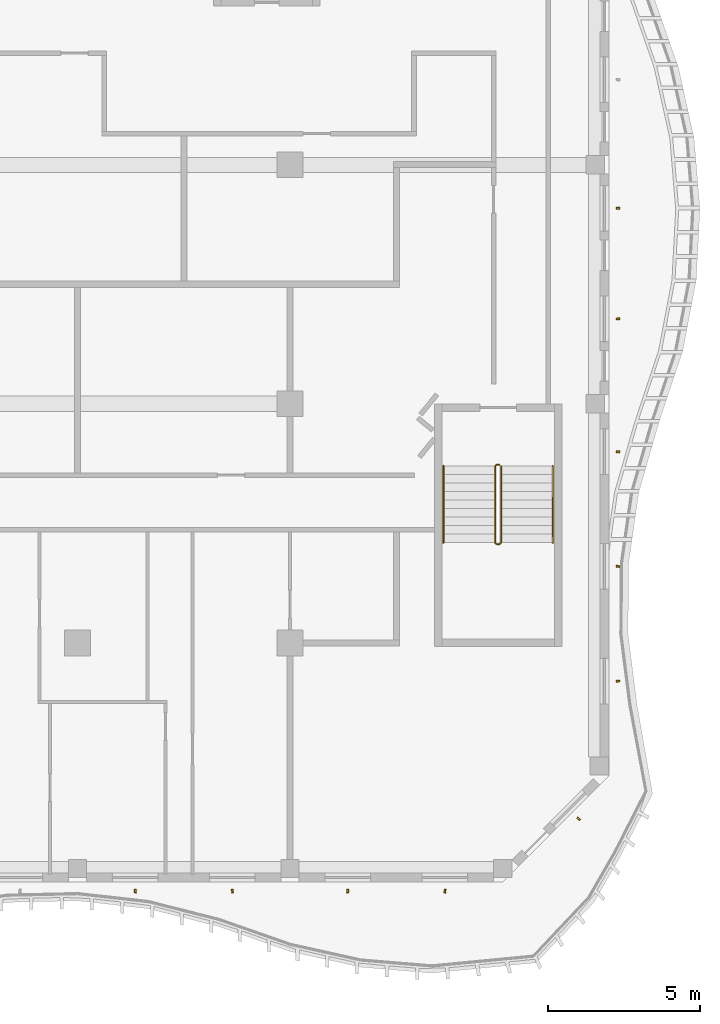
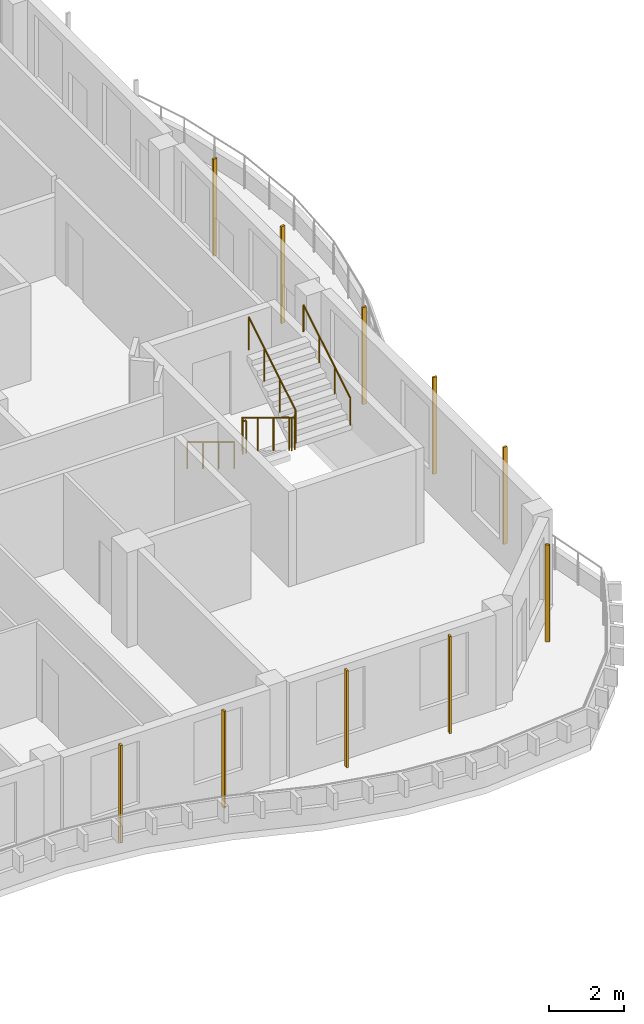
# One storey, part 15 of 18: 10 shading devices, 3 railings.
"""IFC4 building model written with IfcOpenShell, lengths in metres."""

from ifc_helpers import new_model, si_unit, direction, frame, origin, origin_2d, place, context, subcontext, project, spatial, rectangle, circle, extrude, source, transform, mapped, material, material_profile, profile_set, type_object, element, save


model = new_model("IFC4")

# Units and contexts
model_context = context("Model", 3, precision=1e-05, world=origin(), true_north=direction((0.0, 1.0)))
body_context = subcontext(model_context, "Body", "Model", "MODEL_VIEW")
ifc_project = project(units=[si_unit("LENGTHUNIT", "METRE"), si_unit("AREAUNIT", "SQUARE_METRE"), si_unit("VOLUMEUNIT", "CUBIC_METRE"), si_unit("PLANEANGLEUNIT", "RADIAN"), si_unit("MASSUNIT", "GRAM", prefix="KILO")], contexts=[model_context])

# Site, building, storey
site_placement = place(None, origin())
site = spatial("IfcSite", under=ifc_project, at=site_placement, CompositionType="ELEMENT")
building_placement = place(site_placement, origin())
building = spatial("IfcBuilding", under=site, at=building_placement, Name="Kilnfold Tower and Market Hall", CompositionType="ELEMENT")
storey_placement = place(building_placement, frame((0.0, 0.0, 312.0)))
storey = spatial("IfcBuildingStorey", under=building, at=storey_placement, Name="L78", CompositionType="ELEMENT", Elevation=312.0)

# Railings
ifc_material_1 = material(Name="Stainless steel 316", Category="steel")
railing_type_1 = type_object("IfcRailingType", Name="CORE STAIR GUARD 1100", PredefinedType="GUARDRAIL", material=ifc_material_1)
railing_1_placement = place(storey_placement, frame((19.89990234375, -9.75, 0.0)))
element("IfcRailing", 1, at=railing_1_placement, inside=storey, type_object=railing_type_1, Name="L78 ST4 stair guard 1", PredefinedType="GUARDRAIL", context=body_context, shape_type="SweptSolid", body=[
    extrude(circle(Radius=0.02392578125, at=origin_2d()), frame((0.0, 0.0, 1.076171875), z_axis=(-1.0, 0.0, 0.0), x_axis=(0.0, -1.0, 0.0)), (0.0, 0.0, 1.0), 0.099853515625),
    extrude(circle(Radius=0.02392578125, at=origin_2d()), frame((-0.099853515625, 0.0, 1.076171875), z_axis=(-0.271895245746, -0.271895245746, 0.923117517265), x_axis=(0.707106781187, -0.707106781187, 0.0)), (0.0, 0.0, 1.0), 0.18408203125),
    extrude(circle(Radius=0.02392578125, at=origin_2d()), frame((-0.14990234375, -0.050048828125, 1.24609375), z_axis=(0.0, -0.85478489116, 0.518982456201), x_axis=(1.0, 0.0, 0.0)), (0.0, 0.0, 1.0), 2.9482421875),
    extrude(circle(Radius=0.02392578125, at=origin_2d()), frame((-0.14990234375, -2.570068359375, 2.77587890625), z_axis=(0.707106781187, -0.707106781187, 0.0), x_axis=(0.707106781187, 0.707106781187, 0.0)), (0.0, 0.0, 1.0), 0.07080078125),
    extrude(circle(Radius=0.02392578125, at=origin_2d()), frame((-0.099853515625, -2.6201171875, 2.77587890625), z_axis=(1.0, 0.0, 0.0), x_axis=(0.0, 1.0, 0.0)), (0.0, 0.0, 1.0), 0.099853515625),
    extrude(circle(Radius=0.02392578125, at=origin_2d()), frame((0.0, -2.6201171875, 2.77587890625), z_axis=(0.271562723297, 0.271562723297, 0.923313259209), x_axis=(-0.707106781187, 0.707106781187, 0.0)), (0.0, 0.0, 1.0), 0.184326171875),
    extrude(circle(Radius=0.02392578125, at=origin_2d()), frame((0.050048828125, -2.570068359375, 2.9462890625), z_axis=(0.0, 0.854821627497, 0.518921945155), x_axis=(-1.0, 0.0, 0.0)), (0.0, 0.0, 1.0), 2.947998046875),
    extrude(circle(Radius=0.02099609375, at=origin_2d()), origin(), (0.0, 0.0, 1.0), 1.052001953125),
    extrude(circle(Radius=0.02099609375, at=origin_2d()), frame((-0.099853515625, 0.0, 0.0)), (0.0, 0.0, 1.0), 1.052001953125),
    extrude(circle(Radius=0.02099609375, at=origin_2d()), frame((-0.14990234375, -0.050048828125, 0.169921875)), (0.0, 0.0, 1.0), 1.052001953125),
    extrude(circle(Radius=0.02099609375, at=origin_2d()), frame((-0.14990234375, -0.89013671875, 0.679931640625)), (0.0, 0.0, 1.0), 1.052001953125),
    extrude(circle(Radius=0.02099609375, at=origin_2d()), frame((-0.14990234375, -1.72998046875, 1.18994140625)), (0.0, 0.0, 1.0), 1.052001953125),
    extrude(circle(Radius=0.02099609375, at=origin_2d()), frame((-0.14990234375, -2.570068359375, 1.699951171875)), (0.0, 0.0, 1.0), 1.052001953125),
    extrude(circle(Radius=0.02099609375, at=origin_2d()), frame((-0.099853515625, -2.6201171875, 1.699951171875)), (0.0, 0.0, 1.0), 1.052001953125),
    extrude(circle(Radius=0.02099609375, at=origin_2d()), frame((0.0, -2.6201171875, 1.699951171875)), (0.0, 0.0, 1.0), 1.052001953125),
    extrude(circle(Radius=0.02099609375, at=origin_2d()), frame((0.050048828125, -2.570068359375, 1.8701171875)), (0.0, 0.0, 1.0), 1.052001953125),
    extrude(circle(Radius=0.02099609375, at=origin_2d()), frame((0.050048828125, -1.72998046875, 2.380126953125)), (0.0, 0.0, 1.0), 1.052001953125),
    extrude(circle(Radius=0.02099609375, at=origin_2d()), frame((0.050048828125, -0.89013671875, 2.889892578125)), (0.0, 0.0, 1.0), 1.052001953125),
    extrude(circle(Radius=0.02099609375, at=origin_2d()), frame((0.050048828125, -0.050048828125, 3.39990234375)), (0.0, 0.0, 1.0), 1.052001953125),
])
ifc_material_2 = material(Name="Stainless steel 316", Category="steel")
railing_type_2 = type_object("IfcRailingType", Name="CORE STAIR HANDRAIL 900", PredefinedType="HANDRAIL", material=ifc_material_2)
railing_2_placement = place(storey_placement, frame((18.050048828125, -9.800048828125, 0.169921875)))
element("IfcRailing", 2, at=railing_2_placement, inside=storey, type_object=railing_type_2, Name="L78 ST4 stair handrail 1", PredefinedType="HANDRAIL", context=body_context, shape_type="SweptSolid", body=[
    extrude(circle(Radius=0.02392578125, at=origin_2d()), frame((0.0, 0.0, 0.8759765625), z_axis=(0.0, -0.85478489116, 0.518982456201), x_axis=(1.0, 0.0, 0.0)), (0.0, 0.0, 1.0), 2.9482421875),
    extrude(circle(Radius=0.02099609375, at=origin_2d()), origin(), (0.0, 0.0, 1.0), 0.851806640625),
    extrude(circle(Radius=0.02099609375, at=origin_2d()), frame((0.0, -0.840087890625, 0.510009765625)), (0.0, 0.0, 1.0), 0.851806640625),
    extrude(circle(Radius=0.02099609375, at=origin_2d()), frame((0.0, -1.679931640625, 1.02001953125)), (0.0, 0.0, 1.0), 0.851806640625),
    extrude(circle(Radius=0.02099609375, at=origin_2d()), frame((0.0, -2.52001953125, 1.530029296875)), (0.0, 0.0, 1.0), 0.851806640625),
])
railing_3_placement = place(storey_placement, frame((21.64990234375, -12.320068359375, 1.8701171875)))
element("IfcRailing", 3, at=railing_3_placement, inside=storey, type_object=railing_type_2, Name="L78 ST4 stair handrail 2", PredefinedType="HANDRAIL", context=body_context, shape_type="SweptSolid", body=[
    extrude(circle(Radius=0.02392578125, at=origin_2d()), frame((0.0, 0.0, 0.8759765625), z_axis=(0.0, 0.854821627497, 0.518921945155), x_axis=(-1.0, 0.0, 0.0)), (0.0, 0.0, 1.0), 2.947998046875),
    extrude(circle(Radius=0.02099609375, at=origin_2d()), origin(), (0.0, 0.0, 1.0), 0.851806640625),
    extrude(circle(Radius=0.02099609375, at=origin_2d()), frame((0.0, 0.840087890625, 0.510009765625)), (0.0, 0.0, 1.0), 0.851806640625),
    extrude(circle(Radius=0.02099609375, at=origin_2d()), frame((0.0, 1.679931640625, 1.019775390625)), (0.0, 0.0, 1.0), 0.851806640625),
    extrude(circle(Radius=0.02099609375, at=origin_2d()), frame((0.0, 2.52001953125, 1.52978515625)), (0.0, 0.0, 1.0), 0.851806640625),
])

# Shading devices
ifc_material_3 = material(Name="Terracotta", Category="masonry")
ifc_material_profile = material_profile(ifc_material_3, rectangle(XDim=0.06005859375, YDim=0.1201171875, at=origin_2d()), Name="BAG 60x120")
ifc_profile_set = profile_set([ifc_material_profile], Name="Terracotta")
shading_device_type = type_object("IfcShadingDeviceType", Name="BAGUETTE", PredefinedType="USERDEFINED", material=ifc_profile_set)
shared_shape = source(origin(), body_context, "Body", "SweptSolid", [
    extrude(rectangle(XDim=0.06005859375, YDim=0.1201171875, at=origin_2d()), origin(), (0.0, 0.0, 1.0), 3.179931640625),
])
for number, where, z_axis, x_axis, name in (
    (4, (7.89990234375, -23.800048828125, 0.0), (0.0, 0.0, 1.0), (0.999774796266, -0.021221610499, 0.0), "Terracotta baguette L78 S"),
    (5, (11.10009765625, -23.800048828125, 0.0), (0.0, 0.0, 1.0), (0.991047860354, 0.133507072804, 0.0), "Terracotta baguette L78 S"),
    (6, (14.89990234375, -23.800048828125, 0.0), (0.0, 0.0, 1.0), (0.999774796266, 0.021221610499, 0.0), "Terracotta baguette L78 S"),
    (7, (18.10009765625, -23.800048828125, 0.0), (0.0, 0.0, 1.0), (0.991047860354, -0.133507072804, 0.0), "Terracotta baguette L78 S"),
    (8, (22.5048828125, -21.419189453125, 0.0), (0.0, 0.0, 1.0), (0.662891896807, 0.74871512149, 0.0), "Terracotta baguette L78 SE"),
    (9, (23.800048828125, -16.8818359375, 0.0), (0.0, 0.0, 1.0), (-0.070047230756, 0.997543675968, 0.0), "Terracotta baguette L78 E"),
    (10, (23.800048828125, -13.1044921875, 0.0), (0.0, 0.0, 1.0), (0.12816556209, 0.991752786078, 0.0), "Terracotta baguette L78 E"),
    (11, (23.800048828125, -9.327392578125, 0.0), (0.0, 0.0, 1.0), (0.038195963673, 0.999270267925, 0.0), "Terracotta baguette L78 E"),
    (12, (23.800048828125, -4.949951171875, 0.0), (0.0, 0.0, 1.0), (-0.138234547902, 0.990399520278, 0.0), "Terracotta baguette L78 E"),
    (13, (23.800048828125, -1.3125, 0.0), (0.0, 0.0, 1.0), (0.024758455989, 0.999693462446, 0.0), "Terracotta baguette L78 E"),
):
    element("IfcShadingDevice", number, at=place(storey_placement, frame(where, z_axis=z_axis, x_axis=x_axis)), inside=storey, type_object=shading_device_type, Name=name, ObjectType="BAGUETTE", PredefinedType="USERDEFINED", context=body_context, shape_type="MappedRepresentation", body=[
        mapped(shared_shape, transform((0.0, 0.0, 0.0))),
    ])

save(model, "model.ifc")
